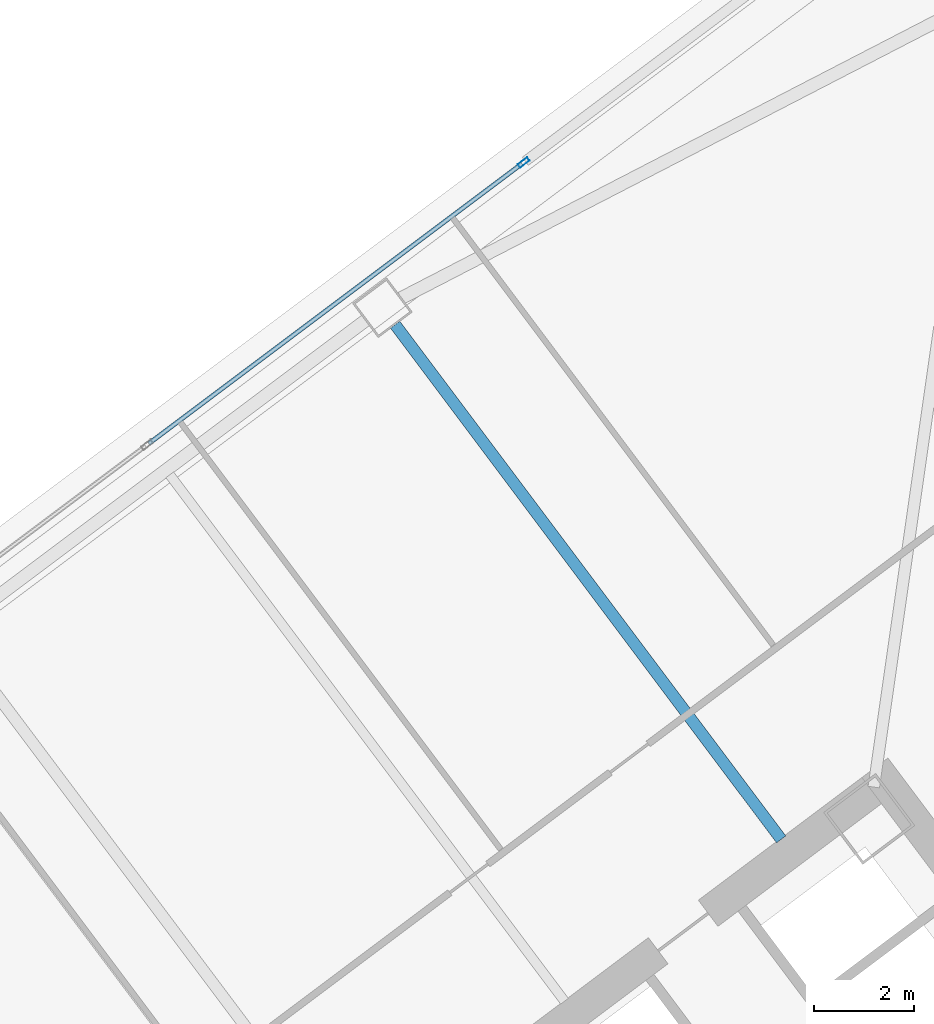
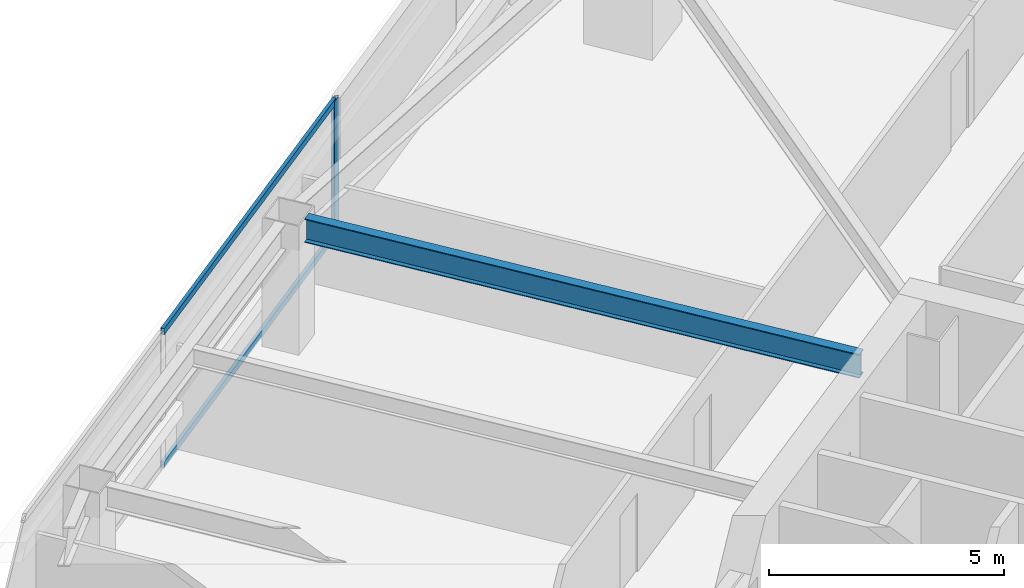
# One storey, part 31 of 48: 3 members, 1 beam, 1 element without a shape of its own.
"""IFC4 building model written with IfcOpenShell, lengths in metres."""

from ifc_helpers import new_model, si_unit, direction, frame, origin, origin_2d, place, context, subcontext, project, spatial, hollow_rectangle, i_section, extrude, material, material_profile, profile_set, type_object, element, aggregate, save


model = new_model("IFC4")

# Units and contexts
model_context = context("Model", 3, precision=1e-05, world=origin(), true_north=direction((0.0, 1.0)))
body_context = subcontext(model_context, "Body", "Model", "MODEL_VIEW")
ifc_project = project(units=[si_unit("LENGTHUNIT", "METRE"), si_unit("AREAUNIT", "SQUARE_METRE"), si_unit("VOLUMEUNIT", "CUBIC_METRE"), si_unit("PLANEANGLEUNIT", "RADIAN"), si_unit("MASSUNIT", "GRAM", prefix="KILO")], contexts=[model_context])

# Site, building, storey
site_placement = place(None, origin())
site = spatial("IfcSite", under=ifc_project, at=site_placement, CompositionType="ELEMENT")
building_placement = place(site_placement, origin())
building = spatial("IfcBuilding", under=site, at=building_placement, Name="Tashvorn Skyway Center", CompositionType="ELEMENT")
storey_placement = place(building_placement, frame((0.0, 0.0, 53.0)))
storey = spatial("IfcBuildingStorey", under=building, at=storey_placement, Name="L13", CompositionType="ELEMENT", Elevation=53.0)

# Beam
ifc_material_1 = material(Name="Steel ASTM A992 Grade 50", Category="steel")
ifc_material_profile_1 = material_profile(ifc_material_1, i_section(OverallWidth=0.22998046875, OverallDepth=0.616943359375, WebThickness=0.01318359375, FlangeThickness=0.022216796875, at=origin_2d()), Name="W24X94")
ifc_profile_set_1 = profile_set([ifc_material_profile_1], Name="Steel ASTM A992 Grade 50")
beam_type = type_object("IfcBeamType", Name="BM-BEAM-W24X94", PredefinedType="BEAM", material=ifc_profile_set_1)
beam_placement = place(storey_placement, frame((105.94189453125, 51.743896484375, 3.04150390625), z_axis=(0.600018239213, -0.799986320265, 0.0), x_axis=(0.799986320265, 0.600018239213, 0.0)))
element("IfcBeam", 1, at=beam_placement, inside=storey, type_object=beam_type, Name="Tower 2 L13 Primary Floor Girder FC-N1", PredefinedType="BEAM", context=body_context, shape_type="SweptSolid", body=[
    extrude(i_section(OverallWidth=0.22998046875, OverallDepth=0.616943359375, WebThickness=0.01318359375, FlangeThickness=0.022216796875, at=origin_2d()), origin(), (0.0, 0.0, 1.0), 12.849853515625),
])

# Curtain wall, members
ifc_material_2 = material(Name="Thermally broken bronze-anodized aluminium 6063-T6", Category="aluminium")
curtain_wall_type = type_object("IfcCurtainWallType", Name="CW-CW-Z1", PredefinedType="NOTDEFINED", material=ifc_material_2)
curtain_wall_placement = place(storey_placement, origin())
curtain_wall = element("IfcCurtainWall", 2, at=curtain_wall_placement, inside=storey, type_object=curtain_wall_type, Name="Tower 2 L13 North Unitised Curtain Wall Glazing Group 2", PredefinedType="NOTDEFINED")
ifc_material_profile_2 = material_profile(ifc_material_2, hollow_rectangle(XDim=0.0849609375, YDim=0.239990234375, WallThickness=0.0048828125, at=origin_2d()), Name="ALU-MULL-85x240")
ifc_profile_set_2 = profile_set([ifc_material_profile_2], Name="Thermally broken bronze-anodized aluminium 6063-T6")
member_type_1 = type_object("IfcMemberType", Name="CWM-CW-Z1", PredefinedType="MULLION", material=ifc_profile_set_2)
member_1_placement = place(storey_placement, frame((108.510009765625, 54.982421875, 0.0), z_axis=(0.0, 0.0, 1.0), x_axis=(-0.600000000002, 0.799999999998, 0.0)))
member_1 = element("IfcMember", 3, at=member_1_placement, type_object=member_type_1, Name="CW-Z1 mullion 3", PredefinedType="MULLION", context=body_context, shape_type="SweptSolid", body=[
    extrude(hollow_rectangle(XDim=0.0849609375, YDim=0.239990234375, WallThickness=0.0048828125, at=origin_2d()), origin(), (0.0, 0.0, 1.0), 3.550048828125),
])
ifc_material_profile_3 = material_profile(ifc_material_2, hollow_rectangle(XDim=0.0849609375, YDim=0.1650390625, WallThickness=0.0048828125, at=origin_2d()), Name="ALU-TRAN-85x165")
ifc_profile_set_3 = profile_set([ifc_material_profile_3], Name="Thermally broken bronze-anodized aluminium 6063-T6")
member_type_2 = type_object("IfcMemberType", Name="CWT-CW-Z1", PredefinedType="USERDEFINED", material=ifc_profile_set_3)
member_2_placement = place(storey_placement, frame((101.02587890625, 49.369384765625, 0.04248046875), z_axis=(0.8, 0.6, 0.0), x_axis=(-0.6, 0.8, 0.0)))
member_2 = element("IfcMember", 4, at=member_2_placement, type_object=member_type_2, Name="CW-Z1 transom 2.1", ObjectType="TRANSOM", PredefinedType="USERDEFINED", context=body_context, shape_type="SweptSolid", body=[
    extrude(hollow_rectangle(XDim=0.0849609375, YDim=0.1650390625, WallThickness=0.0048828125, at=origin_2d()), origin(), (0.0, 0.0, 1.0), 9.312744140625),
])
member_3_placement = place(storey_placement, frame((101.02587890625, 49.369384765625, 3.507568359375), z_axis=(0.8, 0.6, 0.0), x_axis=(-0.6, 0.8, 0.0)))
member_3 = element("IfcMember", 5, at=member_3_placement, type_object=member_type_2, Name="CW-Z1 transom 2.2", ObjectType="TRANSOM", PredefinedType="USERDEFINED", context=body_context, shape_type="SweptSolid", body=[
    extrude(hollow_rectangle(XDim=0.0849609375, YDim=0.1650390625, WallThickness=0.0048828125, at=origin_2d()), origin(), (0.0, 0.0, 1.0), 9.312744140625),
])
aggregate(curtain_wall, [member_1, member_2, member_3])

save(model, "model.ifc")
